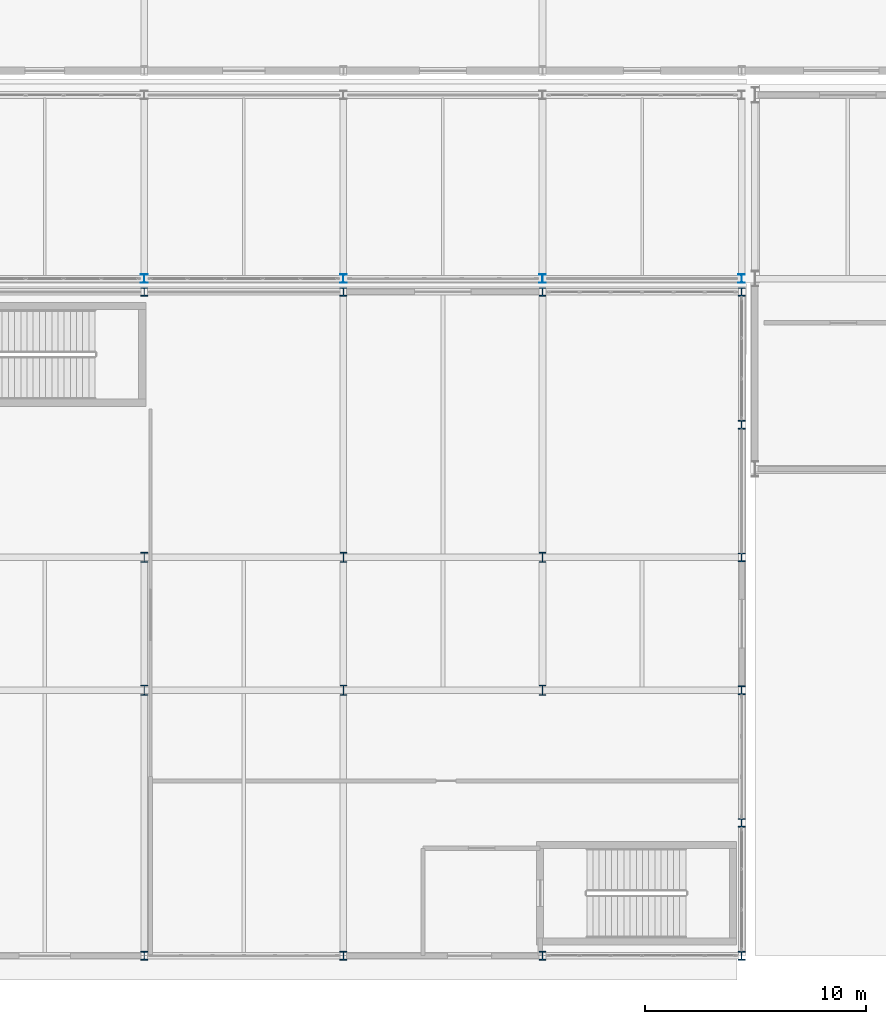
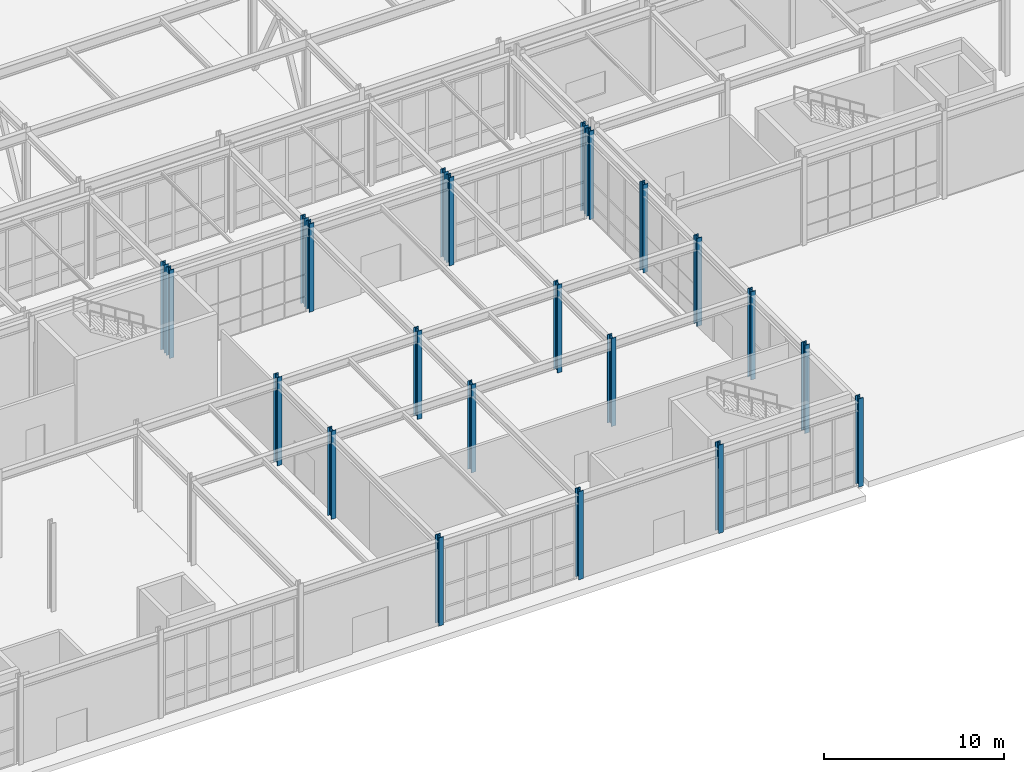
# One storey, part 2 of 146: 22 columns.
"""IFC4 building model written with IfcOpenShell, lengths in metres."""

from ifc_helpers import new_model, si_unit, direction, frame, origin, origin_2d, place, context, subcontext, project, spatial, i_section, extrude, material, material_profile, profile_set, type_object, element, save


model = new_model("IFC4")

# Units and contexts
model_context = context("Model", 3, precision=1e-05, world=origin(), true_north=direction((0.0, 1.0)))
body_context = subcontext(model_context, "Body", "Model", "MODEL_VIEW")
ifc_project = project(units=[si_unit("LENGTHUNIT", "METRE"), si_unit("AREAUNIT", "SQUARE_METRE"), si_unit("VOLUMEUNIT", "CUBIC_METRE"), si_unit("PLANEANGLEUNIT", "RADIAN"), si_unit("MASSUNIT", "GRAM", prefix="KILO")], contexts=[model_context])

# Site, building, storey
site_placement = place(None, origin())
site = spatial("IfcSite", under=ifc_project, at=site_placement, CompositionType="ELEMENT")
building_placement = place(site_placement, origin())
building = spatial("IfcBuilding", under=site, at=building_placement, Name="Kaldris Quays Convention Centre", CompositionType="ELEMENT")
storey_placement = place(building_placement, origin())
storey = spatial("IfcBuildingStorey", under=building, at=storey_placement, Name="L00", CompositionType="ELEMENT", Elevation=0.0)

# Columns
ifc_material_1 = material(Name="Steel S460ML", Category="steel")
ifc_material_profile_1 = material_profile(ifc_material_1, i_section(OverallWidth=0.30810546875, OverallDepth=0.39501953125, WebThickness=0.02099609375, FlangeThickness=0.0400390625, FilletRadius=0.027099609375, at=origin_2d()), Name="HEM 360")
ifc_profile_set_1 = profile_set([ifc_material_profile_1], Name="Steel S460ML")
column_type_1 = type_object("IfcColumnType", Name="STRUCTURAL COLUMN CL02", PredefinedType="COLUMN", material=ifc_profile_set_1)
for number, where, z_axis, x_axis, name in (
    (1, (56.0, 16.0, 0.0), (0.0, 0.0, 1.0), (1.0, 0.0, 0.0), "L00 V3 Column CL02 (56.00, 16.00)"),
    (2, (56.0, 46.0, 0.0), (0.0, 0.0, 1.0), (1.0, 0.0, 0.0), "L00 V3 Column CL02 (56.00, 46.00)"),
    (3, (65.0, 16.0, 0.0), (0.0, 0.0, 1.0), (1.0, 0.0, 0.0), "L00 V3 Column CL02 (65.00, 16.00)"),
    (4, (65.0, 46.0, 0.0), (0.0, 0.0, 1.0), (1.0, 0.0, 0.0), "L00 V3 Column CL02 (65.00, 46.00)"),
    (5, (74.0, 16.0, 0.0), (0.0, 0.0, 1.0), (1.0, 0.0, 0.0), "L00 V3 Column CL02 (74.00, 16.00)"),
    (6, (74.0, 46.0, 0.0), (0.0, 0.0, 1.0), (1.0, 0.0, 0.0), "L00 V3 Column CL02 (74.00, 46.00)"),
    (7, (83.0, 16.0, 0.0), (0.0, 0.0, 1.0), (1.0, 0.0, 0.0), "L00 V3 Column CL02 (83.00, 16.00)"),
    (8, (83.0, 22.0, 0.0), (0.0, 0.0, 1.0), (1.0, 0.0, 0.0), "L00 V3 Column CL02 (83.00, 22.00)"),
    (9, (83.0, 28.0, 0.0), (0.0, 0.0, 1.0), (1.0, 0.0, 0.0), "L00 V3 Column CL02 (83.00, 28.00)"),
    (10, (83.0, 34.0, 0.0), (0.0, 0.0, 1.0), (1.0, 0.0, 0.0), "L00 V3 Column CL02 (83.00, 34.00)"),
    (11, (83.0, 40.0, 0.0), (0.0, 0.0, 1.0), (1.0, 0.0, 0.0), "L00 V3 Column CL02 (83.00, 40.00)"),
    (12, (83.0, 46.0, 0.0), (0.0, 0.0, 1.0), (1.0, 0.0, 0.0), "L00 V3 Column CL02 (83.00, 46.00)"),
):
    element("IfcColumn", number, at=place(storey_placement, frame(where, z_axis=z_axis, x_axis=x_axis)), inside=storey, type_object=column_type_1, Name=name, PredefinedType="COLUMN", context=body_context, shape_type="SweptSolid", body=[
        extrude(i_section(OverallWidth=0.30810546875, OverallDepth=0.39501953125, WebThickness=0.02099609375, FlangeThickness=0.0400390625, FilletRadius=0.027099609375, at=origin_2d()), origin(), (0.0, 0.0, 1.0), 6.0),
    ])
ifc_material_2 = material(Name="Steel S355J2", Category="steel")
ifc_material_profile_2 = material_profile(ifc_material_2, i_section(OverallWidth=0.300048828125, OverallDepth=0.449951171875, WebThickness=0.013916015625, FlangeThickness=0.02587890625, FilletRadius=0.027099609375, at=origin_2d()), Name="HEB 450")
ifc_profile_set_2 = profile_set([ifc_material_profile_2], Name="Steel S355J2")
column_type_2 = type_object("IfcColumnType", Name="STRUCTURAL COLUMN CL08", PredefinedType="COLUMN", material=ifc_profile_set_2)
for number, where, z_axis, x_axis, name in (
    (13, (56.0, 28.0, 0.0), (0.0, 0.0, 1.0), (1.0, 0.0, 0.0), "L00 V3 Column CL08 (56.00, 28.00)"),
    (14, (56.0, 34.0, 0.0), (0.0, 0.0, 1.0), (1.0, 0.0, 0.0), "L00 V3 Column CL08 (56.00, 34.00)"),
    (15, (65.0, 28.0, 0.0), (0.0, 0.0, 1.0), (1.0, 0.0, 0.0), "L00 V3 Column CL08 (65.00, 28.00)"),
    (16, (65.0, 34.0, 0.0), (0.0, 0.0, 1.0), (1.0, 0.0, 0.0), "L00 V3 Column CL08 (65.00, 34.00)"),
    (17, (74.0, 28.0, 0.0), (0.0, 0.0, 1.0), (1.0, 0.0, 0.0), "L00 V3 Column CL08 (74.00, 28.00)"),
    (18, (74.0, 34.0, 0.0), (0.0, 0.0, 1.0), (1.0, 0.0, 0.0), "L00 V3 Column CL08 (74.00, 34.00)"),
):
    element("IfcColumn", number, at=place(storey_placement, frame(where, z_axis=z_axis, x_axis=x_axis)), inside=storey, type_object=column_type_2, Name=name, PredefinedType="COLUMN", context=body_context, shape_type="SweptSolid", body=[
        extrude(i_section(OverallWidth=0.300048828125, OverallDepth=0.449951171875, WebThickness=0.013916015625, FlangeThickness=0.02587890625, FilletRadius=0.027099609375, at=origin_2d()), origin(), (0.0, 0.0, 1.0), 6.0),
    ])
ifc_material_profile_3 = material_profile(ifc_material_2, i_section(OverallWidth=0.300048828125, OverallDepth=0.389892578125, WebThickness=0.010986328125, FlangeThickness=0.01904296875, FilletRadius=0.027099609375, at=origin_2d()), Name="HEA 400")
ifc_profile_set_3 = profile_set([ifc_material_profile_3], Name="Steel S355J2")
column_type_3 = type_object("IfcColumnType", Name="STRUCTURAL COLUMN CL12", PredefinedType="COLUMN", material=ifc_profile_set_3)
for number, where, z_axis, x_axis, name in (
    (19, (56.0, 46.60009765625, 0.0), (0.0, 0.0, 1.0), (1.0, 0.0, 0.0), "L00 V4 Column CL12 (56.00, 46.60)"),
    (20, (65.0, 46.60009765625, 0.0), (0.0, 0.0, 1.0), (1.0, 0.0, 0.0), "L00 V4 Column CL12 (65.00, 46.60)"),
    (21, (74.0, 46.60009765625, 0.0), (0.0, 0.0, 1.0), (1.0, 0.0, 0.0), "L00 V4 Column CL12 (74.00, 46.60)"),
    (22, (83.0, 46.60009765625, 0.0), (0.0, 0.0, 1.0), (1.0, 0.0, 0.0), "L00 V4 Column CL12 (83.00, 46.60)"),
):
    element("IfcColumn", number, at=place(storey_placement, frame(where, z_axis=z_axis, x_axis=x_axis)), inside=storey, type_object=column_type_3, Name=name, PredefinedType="COLUMN", context=body_context, shape_type="SweptSolid", body=[
        extrude(i_section(OverallWidth=0.300048828125, OverallDepth=0.389892578125, WebThickness=0.010986328125, FlangeThickness=0.01904296875, FilletRadius=0.027099609375, at=origin_2d()), origin(), (0.0, 0.0, 1.0), 6.0),
    ])

save(model, "model.ifc")
